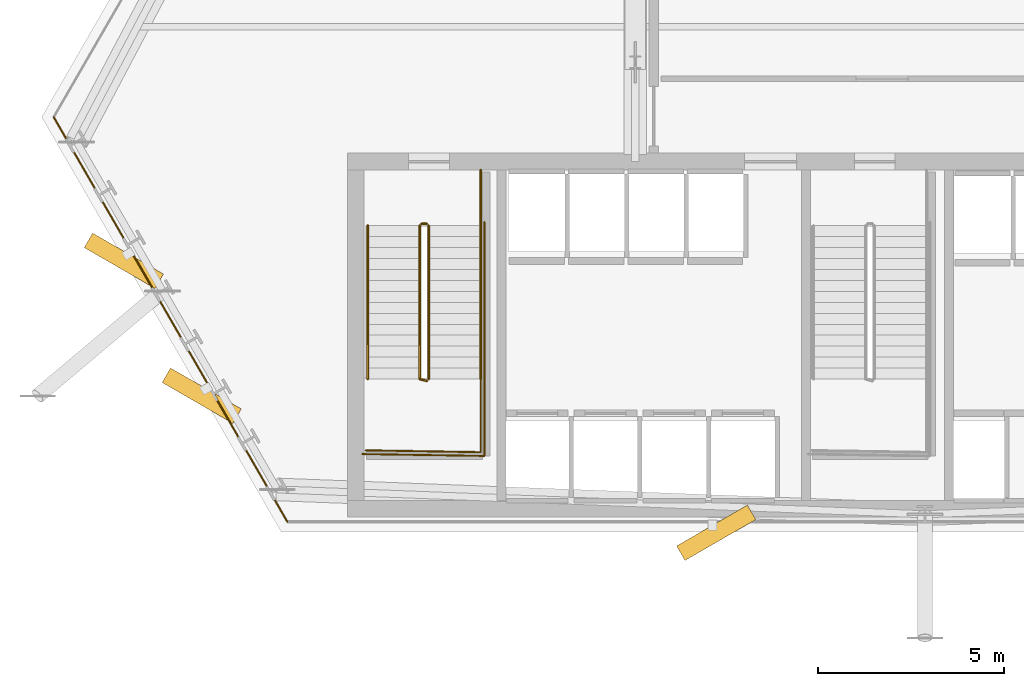
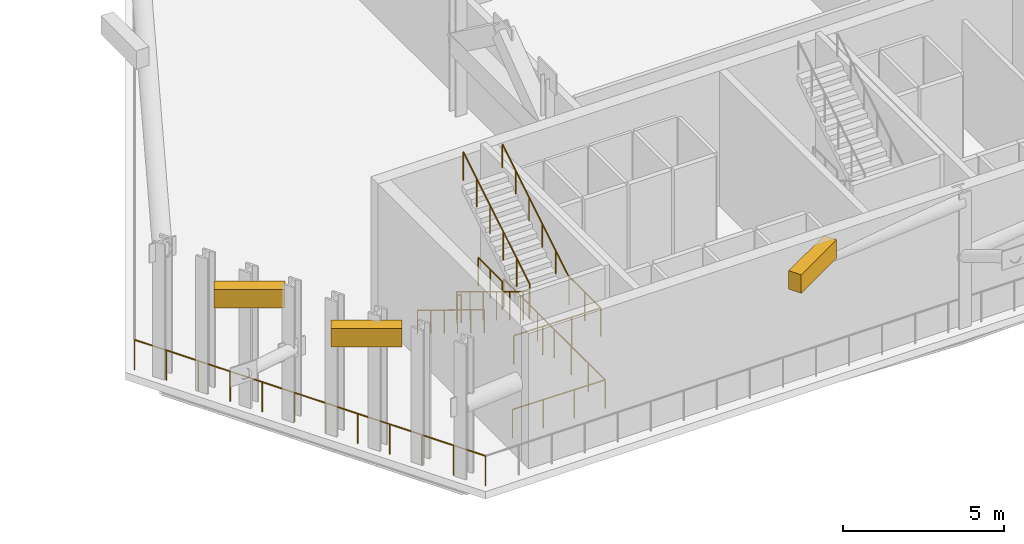
# One storey, part 6 of 11: 9 railings, 3 shading devices.
"""IFC4 building model written with IfcOpenShell, lengths in metres."""

from ifc_helpers import new_model, si_unit, direction, frame, origin, origin_2d, place, context, subcontext, project, spatial, rectangle, circle, extrude, material, layer, layer_set, type_object, element, save


model = new_model("IFC4")

# Units and contexts
model_context = context("Model", 3, precision=1e-05, world=origin(), true_north=direction((0.0, 1.0)))
body_context = subcontext(model_context, "Body", "Model", "MODEL_VIEW")
ifc_project = project(units=[si_unit("LENGTHUNIT", "METRE"), si_unit("AREAUNIT", "SQUARE_METRE"), si_unit("VOLUMEUNIT", "CUBIC_METRE"), si_unit("PLANEANGLEUNIT", "RADIAN"), si_unit("MASSUNIT", "GRAM", prefix="KILO")], contexts=[model_context])

# Site, building, storey
site_placement = place(None, origin())
site = spatial("IfcSite", under=ifc_project, at=site_placement, CompositionType="ELEMENT")
building_placement = place(site_placement, origin())
building = spatial("IfcBuilding", under=site, at=building_placement, Name="Ndaravel Arena Tower", CompositionType="ELEMENT")
storey_placement = place(building_placement, frame((0.0, 0.0, 112.0)))
storey = spatial("IfcBuildingStorey", under=building, at=storey_placement, Name="L26", CompositionType="ELEMENT", Elevation=112.0)

# Railings
ifc_material_1 = material(Name="Steel S355", Category="steel")
ifc_layer_1 = layer(ifc_material_1, 0.06005859375)
ifc_layer_set_1 = layer_set([ifc_layer_1], Name="Steel S355")
railing_type_1 = type_object("IfcRailingType", Name="RAIL-STAIR-GD1100", PredefinedType="GUARDRAIL", material=ifc_layer_set_1)
railing_1_placement = place(storey_placement, frame((28.39990234375, 13.25, 0.179931640625)))
element("IfcRailing", 1, at=railing_1_placement, inside=storey, type_object=railing_type_1, Name="L26 ST-1 stair guard 1", PredefinedType="GUARDRAIL", context=body_context, shape_type="SweptSolid", body=[
    extrude(circle(Radius=0.02392578125, at=origin_2d()), frame((0.0, 0.0, 1.076171875), z_axis=(0.0, -0.853630913754, 0.520878357281), x_axis=(1.0, 0.0, 0.0)), (0.0, 0.0, 1.0), 4.838134765625),
    extrude(circle(Radius=0.02392578125, at=origin_2d()), frame((0.0, -4.1298828125, 3.59619140625), z_axis=(0.967074537263, -0.25449329928, 0.0), x_axis=(0.25449329928, 0.967074537263, 0.0)), (0.0, 0.0, 1.0), 0.19677734375),
    extrude(circle(Radius=0.02099609375, at=origin_2d()), origin(), (0.0, 0.0, 1.0), 1.052001953125),
    extrude(circle(Radius=0.02099609375, at=origin_2d()), frame((0.0, -0.825927734375, 0.50390625)), (0.0, 0.0, 1.0), 1.052001953125),
    extrude(circle(Radius=0.02099609375, at=origin_2d()), frame((0.0, -1.65185546875, 1.008056640625)), (0.0, 0.0, 1.0), 1.052001953125),
    extrude(circle(Radius=0.02099609375, at=origin_2d()), frame((0.0, -2.47802734375, 1.511962890625)), (0.0, 0.0, 1.0), 1.052001953125),
    extrude(circle(Radius=0.02099609375, at=origin_2d()), frame((0.0, -3.303955078125, 2.01611328125)), (0.0, 0.0, 1.0), 1.052001953125),
    extrude(circle(Radius=0.02099609375, at=origin_2d()), frame((0.0, -4.1298828125, 2.52001953125)), (0.0, 0.0, 1.0), 1.052001953125),
    extrude(circle(Radius=0.02099609375, at=origin_2d()), frame((0.190185546875, -4.179931640625, 2.52001953125)), (0.0, 0.0, 1.0), 1.052001953125),
])
railing_2_placement = place(storey_placement, frame((30.0400390625, 9.1201171875, 2.699951171875)))
element("IfcRailing", 2, at=railing_2_placement, inside=storey, type_object=railing_type_1, Name="L26 ST-1 stair guard 2", PredefinedType="GUARDRAIL", context=body_context, shape_type="SweptSolid", body=[
    extrude(circle(Radius=0.02392578125, at=origin_2d()), frame((0.0, 0.0, 1.076171875), z_axis=(0.0, -1.0, 0.0), x_axis=(1.0, 0.0, 0.0)), (0.0, 0.0, 1.0), 1.97021484375),
    extrude(circle(Radius=0.02392578125, at=origin_2d()), frame((0.0, -1.97021484375, 1.076171875), z_axis=(-0.999868861343, 0.016194447071, 0.0), x_axis=(-0.016194447071, -0.999868861343, 0.0)), (0.0, 0.0, 1.0), 3.090576171875),
    extrude(circle(Radius=0.02099609375, at=origin_2d()), origin(), (0.0, 0.0, 1.0), 1.052001953125),
    extrude(circle(Radius=0.02099609375, at=origin_2d()), frame((0.0, -0.985107421875, 0.0)), (0.0, 0.0, 1.0), 1.052001953125),
    extrude(circle(Radius=0.02099609375, at=origin_2d()), frame((0.0, -1.97021484375, 0.0)), (0.0, 0.0, 1.0), 1.052001953125),
    extrude(circle(Radius=0.02099609375, at=origin_2d()), frame((-1.030029296875, -1.95361328125, 0.0)), (0.0, 0.0, 1.0), 1.052001953125),
    extrude(circle(Radius=0.02099609375, at=origin_2d()), frame((-2.06005859375, -1.936767578125, 0.0)), (0.0, 0.0, 1.0), 1.052001953125),
    extrude(circle(Radius=0.02099609375, at=origin_2d()), frame((-3.090087890625, -1.920166015625, 0.0)), (0.0, 0.0, 1.0), 1.052001953125),
])
railing_3_placement = place(storey_placement, frame((28.639892578125, 9.1201171875, 2.8798828125)))
element("IfcRailing", 3, at=railing_3_placement, inside=storey, type_object=railing_type_1, Name="L26 ST-1 stair guard 3", PredefinedType="GUARDRAIL", context=body_context, shape_type="SweptSolid", body=[
    extrude(circle(Radius=0.02392578125, at=origin_2d()), frame((0.0, 0.0, 1.076171875), z_axis=(0.0, 0.853630913754, 0.520878357281), x_axis=(-1.0, 0.0, 0.0)), (0.0, 0.0, 1.0), 4.838134765625),
    extrude(circle(Radius=0.02099609375, at=origin_2d()), origin(), (0.0, 0.0, 1.0), 1.052001953125),
    extrude(circle(Radius=0.02099609375, at=origin_2d()), frame((0.0, 0.825927734375, 0.50390625)), (0.0, 0.0, 1.0), 1.052001953125),
    extrude(circle(Radius=0.02099609375, at=origin_2d()), frame((0.0, 1.65185546875, 1.008056640625)), (0.0, 0.0, 1.0), 1.052001953125),
    extrude(circle(Radius=0.02099609375, at=origin_2d()), frame((0.0, 2.47802734375, 1.511962890625)), (0.0, 0.0, 1.0), 1.052001953125),
    extrude(circle(Radius=0.02099609375, at=origin_2d()), frame((0.0, 3.303955078125, 2.01611328125)), (0.0, 0.0, 1.0), 1.052001953125),
    extrude(circle(Radius=0.02099609375, at=origin_2d()), frame((0.0, 4.1298828125, 2.52001953125)), (0.0, 0.0, 1.0), 1.052001953125),
])
railing_4_placement = place(storey_placement, frame((28.449951171875, 13.300048828125, 0.0)))
element("IfcRailing", 4, at=railing_4_placement, inside=storey, type_object=railing_type_1, Name="L26 ST-1 stair guard 4", PredefinedType="GUARDRAIL", context=body_context, shape_type="SweptSolid", body=[
    extrude(circle(Radius=0.02392578125, at=origin_2d()), frame((0.0, 0.0, 1.076171875), z_axis=(1.0, 0.0, 0.0), x_axis=(0.0, 1.0, 0.0)), (0.0, 0.0, 1.0), 0.14013671875),
    extrude(circle(Radius=0.02099609375, at=origin_2d()), origin(), (0.0, 0.0, 1.0), 1.052001953125),
    extrude(circle(Radius=0.02099609375, at=origin_2d()), frame((0.14013671875, 0.0, 0.0)), (0.0, 0.0, 1.0), 1.052001953125),
])
railing_5_placement = place(storey_placement, frame((30.0400390625, 14.75, 0.0)))
element("IfcRailing", 5, at=railing_5_placement, inside=storey, type_object=railing_type_1, Name="L26 ST-1 stair guard 5", PredefinedType="GUARDRAIL", context=body_context, shape_type="SweptSolid", body=[
    extrude(circle(Radius=0.02392578125, at=origin_2d()), frame((0.0, 0.0, 1.076171875), z_axis=(0.0, -1.0, 0.0), x_axis=(1.0, 0.0, 0.0)), (0.0, 0.0, 1.0), 1.5),
    extrude(circle(Radius=0.02099609375, at=origin_2d()), origin(), (0.0, 0.0, 1.0), 1.052001953125),
    extrude(circle(Radius=0.02099609375, at=origin_2d()), frame((0.0, -0.75, 0.0)), (0.0, 0.0, 1.0), 1.052001953125),
    extrude(circle(Radius=0.02099609375, at=origin_2d()), frame((0.0, -1.5, 0.0)), (0.0, 0.0, 1.0), 1.052001953125),
])
railing_6_placement = place(storey_placement, frame((30.139892578125, 13.35009765625, 0.0)))
element("IfcRailing", 6, at=railing_6_placement, inside=storey, type_object=railing_type_1, Name="L26 ST-1 stair guard 6", PredefinedType="GUARDRAIL", context=body_context, shape_type="SweptSolid", body=[
    extrude(circle(Radius=0.02392578125, at=origin_2d()), frame((0.0, 0.0, 1.076171875), z_axis=(0.0, -1.0, 0.0), x_axis=(1.0, 0.0, 0.0)), (0.0, 0.0, 1.0), 6.300048828125),
    extrude(circle(Radius=0.02392578125, at=origin_2d()), frame((0.0, -6.300048828125, 1.076171875), z_axis=(-0.999884296952, 0.015211597839, 0.0), x_axis=(-0.015211597839, -0.999884296952, 0.0)), (0.0, 0.0, 1.0), 3.290283203125),
    extrude(circle(Radius=0.02099609375, at=origin_2d()), origin(), (0.0, 0.0, 1.0), 1.052001953125),
    extrude(circle(Radius=0.02099609375, at=origin_2d()), frame((0.0, -1.050048828125, 0.0)), (0.0, 0.0, 1.0), 1.052001953125),
    extrude(circle(Radius=0.02099609375, at=origin_2d()), frame((0.0, -2.10009765625, 0.0)), (0.0, 0.0, 1.0), 1.052001953125),
    extrude(circle(Radius=0.02099609375, at=origin_2d()), frame((0.0, -3.14990234375, 0.0)), (0.0, 0.0, 1.0), 1.052001953125),
    extrude(circle(Radius=0.02099609375, at=origin_2d()), frame((0.0, -4.199951171875, 0.0)), (0.0, 0.0, 1.0), 1.052001953125),
    extrude(circle(Radius=0.02099609375, at=origin_2d()), frame((0.0, -5.25, 0.0)), (0.0, 0.0, 1.0), 1.052001953125),
    extrude(circle(Radius=0.02099609375, at=origin_2d()), frame((0.0, -6.300048828125, 0.0)), (0.0, 0.0, 1.0), 1.052001953125),
    extrude(circle(Radius=0.02099609375, at=origin_2d()), frame((-1.0966796875, -6.283447265625, 0.0)), (0.0, 0.0, 1.0), 1.052001953125),
    extrude(circle(Radius=0.02099609375, at=origin_2d()), frame((-2.193115234375, -6.2666015625, 0.0)), (0.0, 0.0, 1.0), 1.052001953125),
    extrude(circle(Radius=0.02099609375, at=origin_2d()), frame((-3.289794921875, -6.25, 0.0)), (0.0, 0.0, 1.0), 1.052001953125),
])
ifc_material_2 = material(Name="Steel S355", Category="steel")
ifc_layer_2 = layer(ifc_material_2, 0.050048828125)
ifc_layer_set_2 = layer_set([ifc_layer_2], Name="Steel S355")
railing_type_2 = type_object("IfcRailingType", Name="RAIL-STAIR-HR920", PredefinedType="HANDRAIL", material=ifc_layer_set_2)
railing_7_placement = place(storey_placement, frame((27.0, 13.25, 0.179931640625)))
element("IfcRailing", 7, at=railing_7_placement, inside=storey, type_object=railing_type_2, Name="L26 ST-1 stair handrail 1", PredefinedType="HANDRAIL", context=body_context, shape_type="SweptSolid", body=[
    extrude(circle(Radius=0.02392578125, at=origin_2d()), frame((0.0, 0.0, 0.8759765625), z_axis=(0.0, -0.853630913754, 0.520878357281), x_axis=(1.0, 0.0, 0.0)), (0.0, 0.0, 1.0), 4.838134765625),
    extrude(circle(Radius=0.02099609375, at=origin_2d()), origin(), (0.0, 0.0, 1.0), 0.851806640625),
    extrude(circle(Radius=0.02099609375, at=origin_2d()), frame((0.0, -0.825927734375, 0.50390625)), (0.0, 0.0, 1.0), 0.851806640625),
    extrude(circle(Radius=0.02099609375, at=origin_2d()), frame((0.0, -1.65185546875, 1.008056640625)), (0.0, 0.0, 1.0), 0.851806640625),
    extrude(circle(Radius=0.02099609375, at=origin_2d()), frame((0.0, -2.47802734375, 1.511962890625)), (0.0, 0.0, 1.0), 0.851806640625),
    extrude(circle(Radius=0.02099609375, at=origin_2d()), frame((0.0, -3.303955078125, 2.01611328125)), (0.0, 0.0, 1.0), 0.851806640625),
    extrude(circle(Radius=0.02099609375, at=origin_2d()), frame((0.0, -4.1298828125, 2.52001953125)), (0.0, 0.0, 1.0), 0.851806640625),
])
railing_8_placement = place(storey_placement, frame((30.0400390625, 9.1201171875, 2.8798828125)))
element("IfcRailing", 8, at=railing_8_placement, inside=storey, type_object=railing_type_2, Name="L26 ST-1 stair handrail 2", PredefinedType="HANDRAIL", context=body_context, shape_type="SweptSolid", body=[
    extrude(circle(Radius=0.02392578125, at=origin_2d()), frame((0.0, 0.0, 0.8759765625), z_axis=(0.0, 0.853630913754, 0.520878357281), x_axis=(-1.0, 0.0, 0.0)), (0.0, 0.0, 1.0), 4.838134765625),
    extrude(circle(Radius=0.02099609375, at=origin_2d()), origin(), (0.0, 0.0, 1.0), 0.851806640625),
    extrude(circle(Radius=0.02099609375, at=origin_2d()), frame((0.0, 0.825927734375, 0.50390625)), (0.0, 0.0, 1.0), 0.851806640625),
    extrude(circle(Radius=0.02099609375, at=origin_2d()), frame((0.0, 1.65185546875, 1.008056640625)), (0.0, 0.0, 1.0), 0.851806640625),
    extrude(circle(Radius=0.02099609375, at=origin_2d()), frame((0.0, 2.47802734375, 1.511962890625)), (0.0, 0.0, 1.0), 0.851806640625),
    extrude(circle(Radius=0.02099609375, at=origin_2d()), frame((0.0, 3.303955078125, 2.01611328125)), (0.0, 0.0, 1.0), 0.851806640625),
    extrude(circle(Radius=0.02099609375, at=origin_2d()), frame((0.0, 4.1298828125, 2.52001953125)), (0.0, 0.0, 1.0), 0.851806640625),
])
ifc_material_3 = material(Name="Glazing", Category="glass")
ifc_layer_3 = layer(ifc_material_3, 0.070068359375)
ifc_layer_set_3 = layer_set([ifc_layer_3], Name="Glazing")
railing_type_3 = type_object("IfcRailingType", Name="RAIL-TERRACE-1150", PredefinedType="BALUSTRADE", material=ifc_layer_set_3)
railing_9_placement = place(storey_placement, frame((18.545654296875, 16.172607421875, 0.0)))
element("IfcRailing", 9, at=railing_9_placement, inside=storey, type_object=railing_type_3, Name="L26 Open Wind Floor Perimeter Guard 6", PredefinedType="BALUSTRADE", context=body_context, shape_type="SweptSolid", body=[
    extrude(circle(Radius=0.02392578125, at=origin_2d()), frame((0.0, 0.0, 1.1259765625), z_axis=(0.500013689994, -0.866017499719, 0.0), x_axis=(0.866017499719, 0.500013689994, 0.0)), (0.0, 0.0, 1.0), 12.577880859375),
    extrude(circle(Radius=0.02099609375, at=origin_2d()), origin(), (0.0, 0.0, 1.0), 1.101806640625),
    extrude(circle(Radius=0.02099609375, at=origin_2d()), frame((0.57177734375, -0.990234375, 0.0)), (0.0, 0.0, 1.0), 1.101806640625),
    extrude(circle(Radius=0.02099609375, at=origin_2d()), frame((1.1435546875, -1.98046875, 0.0)), (0.0, 0.0, 1.0), 1.101806640625),
    extrude(circle(Radius=0.02099609375, at=origin_2d()), frame((1.715087890625, -2.970703125, 0.0)), (0.0, 0.0, 1.0), 1.101806640625),
    extrude(circle(Radius=0.02099609375, at=origin_2d()), frame((2.286865234375, -3.9609375, 0.0)), (0.0, 0.0, 1.0), 1.101806640625),
    extrude(circle(Radius=0.02099609375, at=origin_2d()), frame((2.858642578125, -4.951171875, 0.0)), (0.0, 0.0, 1.0), 1.101806640625),
    extrude(circle(Radius=0.02099609375, at=origin_2d()), frame((3.430419921875, -5.94140625, 0.0)), (0.0, 0.0, 1.0), 1.101806640625),
    extrude(circle(Radius=0.02099609375, at=origin_2d()), frame((4.002197265625, -6.931640625, 0.0)), (0.0, 0.0, 1.0), 1.101806640625),
    extrude(circle(Radius=0.02099609375, at=origin_2d()), frame((4.573974609375, -7.921875, 0.0)), (0.0, 0.0, 1.0), 1.101806640625),
    extrude(circle(Radius=0.02099609375, at=origin_2d()), frame((5.1455078125, -8.912109375, 0.0)), (0.0, 0.0, 1.0), 1.101806640625),
    extrude(circle(Radius=0.02099609375, at=origin_2d()), frame((5.71728515625, -9.90234375, 0.0)), (0.0, 0.0, 1.0), 1.101806640625),
    extrude(circle(Radius=0.02099609375, at=origin_2d()), frame((6.2890625, -10.892578125, 0.0)), (0.0, 0.0, 1.0), 1.101806640625),
])

# Shading devices
ifc_material_4 = material(Name="Aluminium", Category="aluminium")
shading_device_type = type_object("IfcShadingDeviceType", Name="SHD-WIND-LOUVRE", PredefinedType="JALOUSIE", material=ifc_material_4)
for number, where, z_axis, x_axis, name in (
    (10, (36.381591796875, 4.980712890625, 4.169921875), (0.0, 0.0, 1.0), (0.5, -0.866025403784, 0.0), "L26 Wind-Floor Acoustic Louvre 1.1"),
    (11, (20.4345703125, 12.302490234375, 4.169921875), (0.0, 0.0, 1.0), (-0.5, -0.866025403784, 0.0), "L26 Wind-Floor Acoustic Louvre 6.1"),
    (12, (22.531005859375, 8.671630859375, 4.169921875), (0.0, 0.0, 1.0), (-0.5, -0.866025403784, 0.0), "L26 Wind-Floor Acoustic Louvre 6.2"),
):
    element("IfcShadingDevice", number, at=place(storey_placement, frame(where, z_axis=z_axis, x_axis=x_axis)), inside=storey, type_object=shading_device_type, Name=name, PredefinedType="JALOUSIE", context=body_context, shape_type="SweptSolid", body=[
        extrude(rectangle(XDim=0.449951171875, YDim=2.199951171875, at=origin_2d()), origin(), (0.0, 0.0, 1.0), 0.699951171875),
    ])

save(model, "model.ifc")
